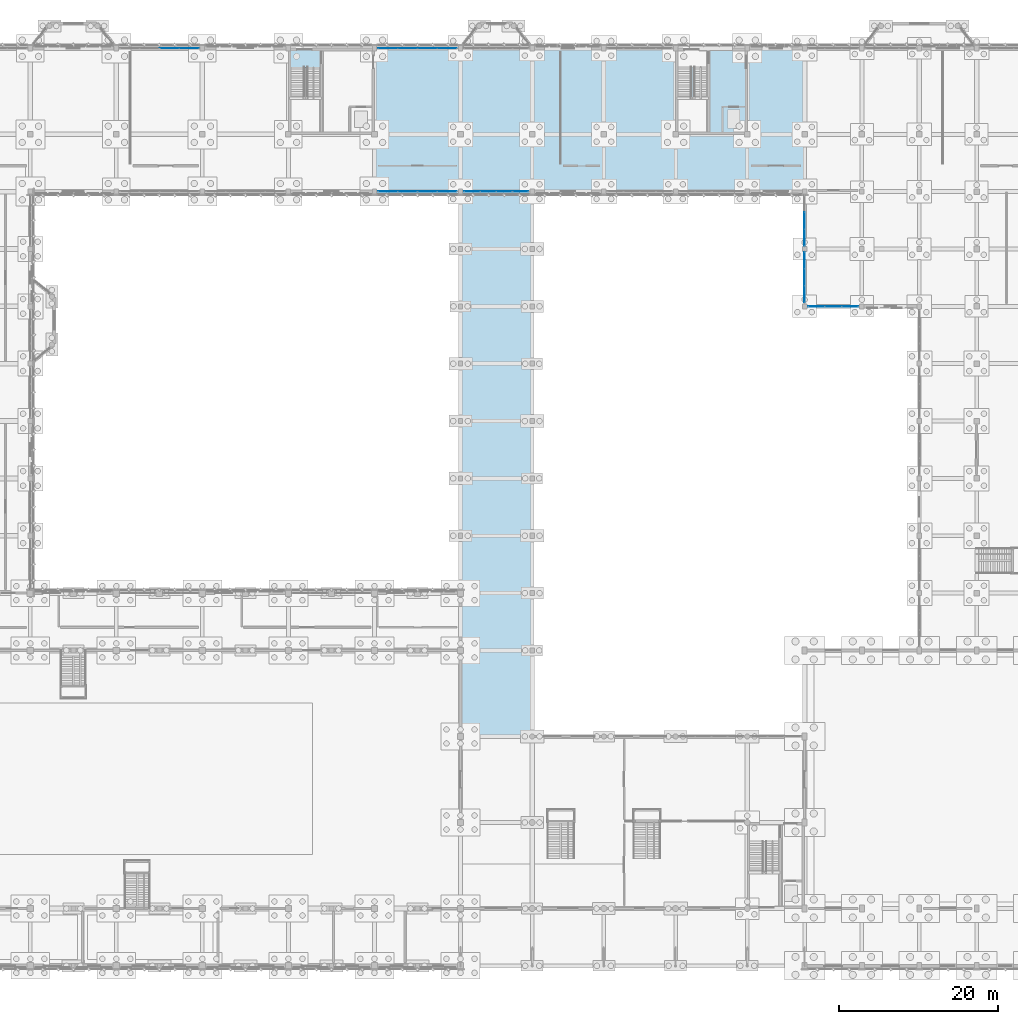
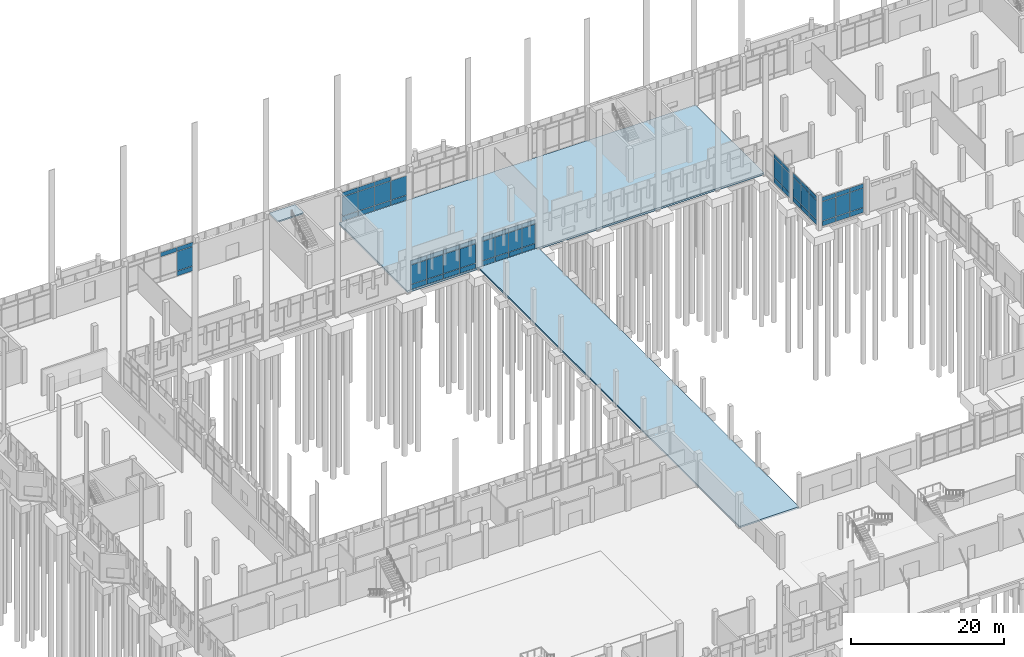
# One storey, part 76 of 109: 63 plates, 3 slabs, 8 elements without a shape of their own.
"""IFC4 building model written with IfcOpenShell, lengths in metres."""

from ifc_helpers import new_model, si_unit, direction, frame, origin, origin_2d, place, context, subcontext, project, spatial, polyline, rectangle, outline, extrude, material, layer, layer_set, type_object, element, aggregate, save


model = new_model("IFC4")

# Units and contexts
model_context = context("Model", 3, precision=1e-05, world=origin(), true_north=direction((0.0, 1.0)))
body_context = subcontext(model_context, "Body", "Model", "MODEL_VIEW")
ifc_project = project(units=[si_unit("LENGTHUNIT", "METRE"), si_unit("AREAUNIT", "SQUARE_METRE"), si_unit("VOLUMEUNIT", "CUBIC_METRE"), si_unit("PLANEANGLEUNIT", "RADIAN"), si_unit("MASSUNIT", "GRAM", prefix="KILO")], contexts=[model_context])

# Site, building, storey
site_placement = place(None, origin())
site = spatial("IfcSite", under=ifc_project, at=site_placement, CompositionType="ELEMENT")
building_placement = place(site_placement, origin())
building = spatial("IfcBuilding", under=site, at=building_placement, Name="Lusvemor Sports Hall", CompositionType="ELEMENT")
storey_placement = place(building_placement, origin())
storey = spatial("IfcBuildingStorey", under=building, at=storey_placement, Name="L00", CompositionType="ELEMENT", Elevation=0.0)

# Curtain wall, plates
ifc_material_1 = material(Name="Thermally broken bronze-anodized aluminium", Category="aluminium")
curtain_wall_type = type_object("IfcCurtainWallType", Name="CW_WING_B", PredefinedType="NOTDEFINED", material=ifc_material_1)
curtain_wall_1_placement = place(storey_placement, origin())
curtain_wall_1 = element("IfcCurtainWall", 1, at=curtain_wall_1_placement, inside=storey, type_object=curtain_wall_type, Name="Curtain Wall CW-L00-N-1-3", PredefinedType="NOTDEFINED")
ifc_material_2 = material(Name="Solar-control laminated double glazing", Category="glass")
ifc_layer_1 = layer(ifc_material_2, 0.028076171875)
ifc_layer_set_1 = layer_set([ifc_layer_1], Name="Solar-control laminated double glazing")
plate_type_1 = type_object("IfcPlateType", Name="CW_PAN_GLZ_28", PredefinedType="CURTAIN_PANEL", material=ifc_layer_set_1)
plate_1_placement = place(storey_placement, frame((39.044921875, 115.199951171875, 4.0), z_axis=(0.0, 0.0, 1.0), x_axis=(1.0, 0.0, 0.0)))
plate_1 = element("IfcPlate", 2, at=plate_1_placement, type_object=plate_type_1, Name="CW02 panel 3.3", PredefinedType="CURTAIN_PANEL", context=body_context, shape_type="SweptSolid", body=[
    extrude(rectangle(XDim=2.425048828125, YDim=0.028076171875, at=origin_2d()), origin(), (0.0, 0.0, 1.0), 0.659912109375),
])
plate_2_placement = place(storey_placement, frame((41.518798828125, 115.199951171875, 0.8798828125), z_axis=(0.0, 0.0, 1.0), x_axis=(1.0, 0.0, 0.0)))
plate_2 = element("IfcPlate", 3, at=plate_2_placement, type_object=plate_type_1, Name="CW02 panel 4.2", PredefinedType="CURTAIN_PANEL", context=body_context, shape_type="SweptSolid", body=[
    extrude(rectangle(XDim=2.392578125, YDim=0.028076171875, at=origin_2d()), origin(), (0.0, 0.0, 1.0), 3.06005859375),
])
plate_3_placement = place(storey_placement, frame((41.518798828125, 115.199951171875, 4.0), z_axis=(0.0, 0.0, 1.0), x_axis=(1.0, 0.0, 0.0)))
plate_3 = element("IfcPlate", 4, at=plate_3_placement, type_object=plate_type_1, Name="CW02 panel 4.3", PredefinedType="CURTAIN_PANEL", context=body_context, shape_type="SweptSolid", body=[
    extrude(rectangle(XDim=2.392578125, YDim=0.028076171875, at=origin_2d()), origin(), (0.0, 0.0, 1.0), 0.659912109375),
])

curtain_wall_2_placement = place(storey_placement, origin())
curtain_wall_2 = element("IfcCurtainWall", 5, at=curtain_wall_2_placement, inside=storey, type_object=curtain_wall_type, Name="Curtain Wall CW-L00-N-1-6", PredefinedType="NOTDEFINED")
plate_4_placement = place(storey_placement, frame((66.481201171875, 115.199951171875, 0.8798828125), z_axis=(0.0, 0.0, 1.0), x_axis=(1.0, 0.0, 0.0)))
plate_4 = element("IfcPlate", 6, at=plate_4_placement, type_object=plate_type_1, Name="CW02 panel 1.2", PredefinedType="CURTAIN_PANEL", context=body_context, shape_type="SweptSolid", body=[
    extrude(rectangle(XDim=2.392578125, YDim=0.028076171875, at=origin_2d()), origin(), (0.0, 0.0, 1.0), 3.06005859375),
])
plate_5_placement = place(storey_placement, frame((66.481201171875, 115.199951171875, 4.0), z_axis=(0.0, 0.0, 1.0), x_axis=(1.0, 0.0, 0.0)))
plate_5 = element("IfcPlate", 7, at=plate_5_placement, type_object=plate_type_1, Name="CW02 panel 1.3", PredefinedType="CURTAIN_PANEL", context=body_context, shape_type="SweptSolid", body=[
    extrude(rectangle(XDim=2.392578125, YDim=0.028076171875, at=origin_2d()), origin(), (0.0, 0.0, 1.0), 0.659912109375),
])
plate_6_placement = place(storey_placement, frame((68.955078125, 115.199951171875, 0.8798828125), z_axis=(0.0, 0.0, 1.0), x_axis=(1.0, 0.0, 0.0)))
plate_6 = element("IfcPlate", 8, at=plate_6_placement, type_object=plate_type_1, Name="CW02 panel 2.2", PredefinedType="CURTAIN_PANEL", context=body_context, shape_type="SweptSolid", body=[
    extrude(rectangle(XDim=2.425048828125, YDim=0.028076171875, at=origin_2d()), origin(), (0.0, 0.0, 1.0), 3.06005859375),
])
plate_7_placement = place(storey_placement, frame((68.955078125, 115.199951171875, 4.0), z_axis=(0.0, 0.0, 1.0), x_axis=(1.0, 0.0, 0.0)))
plate_7 = element("IfcPlate", 9, at=plate_7_placement, type_object=plate_type_1, Name="CW02 panel 2.3", PredefinedType="CURTAIN_PANEL", context=body_context, shape_type="SweptSolid", body=[
    extrude(rectangle(XDim=2.425048828125, YDim=0.028076171875, at=origin_2d()), origin(), (0.0, 0.0, 1.0), 0.659912109375),
])
plate_8_placement = place(storey_placement, frame((71.445068359375, 115.199951171875, 0.8798828125), z_axis=(0.0, 0.0, 1.0), x_axis=(1.0, 0.0, 0.0)))
plate_8 = element("IfcPlate", 10, at=plate_8_placement, type_object=plate_type_1, Name="CW02 panel 3.2", PredefinedType="CURTAIN_PANEL", context=body_context, shape_type="SweptSolid", body=[
    extrude(rectangle(XDim=2.425048828125, YDim=0.028076171875, at=origin_2d()), origin(), (0.0, 0.0, 1.0), 3.06005859375),
])
plate_9_placement = place(storey_placement, frame((71.445068359375, 115.199951171875, 4.0), z_axis=(0.0, 0.0, 1.0), x_axis=(1.0, 0.0, 0.0)))
plate_9 = element("IfcPlate", 11, at=plate_9_placement, type_object=plate_type_1, Name="CW02 panel 3.3", PredefinedType="CURTAIN_PANEL", context=body_context, shape_type="SweptSolid", body=[
    extrude(rectangle(XDim=2.425048828125, YDim=0.028076171875, at=origin_2d()), origin(), (0.0, 0.0, 1.0), 0.659912109375),
])
plate_10_placement = place(storey_placement, frame((73.918701171875, 115.199951171875, 0.8798828125), z_axis=(0.0, 0.0, 1.0), x_axis=(1.0, 0.0, 0.0)))
plate_10 = element("IfcPlate", 12, at=plate_10_placement, type_object=plate_type_1, Name="CW02 panel 4.2", PredefinedType="CURTAIN_PANEL", context=body_context, shape_type="SweptSolid", body=[
    extrude(rectangle(XDim=2.392578125, YDim=0.028076171875, at=origin_2d()), origin(), (0.0, 0.0, 1.0), 3.06005859375),
])

curtain_wall_3_placement = place(storey_placement, origin())
curtain_wall_3 = element("IfcCurtainWall", 13, at=curtain_wall_3_placement, inside=storey, type_object=curtain_wall_type, Name="Curtain Wall CW-L00-S-3-4", PredefinedType="NOTDEFINED")
plate_11_placement = place(storey_placement, frame((73.918701171875, 97.199951171875, 0.8798828125), z_axis=(0.0, 0.0, 1.0), x_axis=(-1.0, 0.0, 0.0)))
plate_11 = element("IfcPlate", 14, at=plate_11_placement, type_object=plate_type_1, Name="CW02 panel 1.2", PredefinedType="CURTAIN_PANEL", context=body_context, shape_type="SweptSolid", body=[
    extrude(rectangle(XDim=2.392578125, YDim=0.028076171875, at=origin_2d()), origin(), (0.0, 0.0, 1.0), 3.06005859375),
])
plate_12_placement = place(storey_placement, frame((73.918701171875, 97.199951171875, 4.0), z_axis=(0.0, 0.0, 1.0), x_axis=(-1.0, 0.0, 0.0)))
plate_12 = element("IfcPlate", 15, at=plate_12_placement, type_object=plate_type_1, Name="CW02 panel 1.3", PredefinedType="CURTAIN_PANEL", context=body_context, shape_type="SweptSolid", body=[
    extrude(rectangle(XDim=2.392578125, YDim=0.028076171875, at=origin_2d()), origin(), (0.0, 0.0, 1.0), 0.659912109375),
])
plate_13_placement = place(storey_placement, frame((71.445068359375, 97.199951171875, 0.8798828125), z_axis=(0.0, 0.0, 1.0), x_axis=(-1.0, 0.0, 0.0)))
plate_13 = element("IfcPlate", 16, at=plate_13_placement, type_object=plate_type_1, Name="CW02 panel 2.2", PredefinedType="CURTAIN_PANEL", context=body_context, shape_type="SweptSolid", body=[
    extrude(rectangle(XDim=2.425048828125, YDim=0.028076171875, at=origin_2d()), origin(), (0.0, 0.0, 1.0), 3.06005859375),
])
plate_14_placement = place(storey_placement, frame((71.445068359375, 97.199951171875, 4.0), z_axis=(0.0, 0.0, 1.0), x_axis=(-1.0, 0.0, 0.0)))
plate_14 = element("IfcPlate", 17, at=plate_14_placement, type_object=plate_type_1, Name="CW02 panel 2.3", PredefinedType="CURTAIN_PANEL", context=body_context, shape_type="SweptSolid", body=[
    extrude(rectangle(XDim=2.425048828125, YDim=0.028076171875, at=origin_2d()), origin(), (0.0, 0.0, 1.0), 0.659912109375),
])
plate_15_placement = place(storey_placement, frame((68.955078125, 97.199951171875, 0.8798828125), z_axis=(0.0, 0.0, 1.0), x_axis=(-1.0, 0.0, 0.0)))
plate_15 = element("IfcPlate", 18, at=plate_15_placement, type_object=plate_type_1, Name="CW02 panel 3.2", PredefinedType="CURTAIN_PANEL", context=body_context, shape_type="SweptSolid", body=[
    extrude(rectangle(XDim=2.425048828125, YDim=0.028076171875, at=origin_2d()), origin(), (0.0, 0.0, 1.0), 3.06005859375),
])
plate_16_placement = place(storey_placement, frame((68.955078125, 97.199951171875, 4.0), z_axis=(0.0, 0.0, 1.0), x_axis=(-1.0, 0.0, 0.0)))
plate_16 = element("IfcPlate", 19, at=plate_16_placement, type_object=plate_type_1, Name="CW02 panel 3.3", PredefinedType="CURTAIN_PANEL", context=body_context, shape_type="SweptSolid", body=[
    extrude(rectangle(XDim=2.425048828125, YDim=0.028076171875, at=origin_2d()), origin(), (0.0, 0.0, 1.0), 0.659912109375),
])
plate_17_placement = place(storey_placement, frame((66.481201171875, 97.199951171875, 0.8798828125), z_axis=(0.0, 0.0, 1.0), x_axis=(-1.0, 0.0, 0.0)))
plate_17 = element("IfcPlate", 20, at=plate_17_placement, type_object=plate_type_1, Name="CW02 panel 4.2", PredefinedType="CURTAIN_PANEL", context=body_context, shape_type="SweptSolid", body=[
    extrude(rectangle(XDim=2.392578125, YDim=0.028076171875, at=origin_2d()), origin(), (0.0, 0.0, 1.0), 3.06005859375),
])
plate_18_placement = place(storey_placement, frame((66.481201171875, 97.199951171875, 4.0), z_axis=(0.0, 0.0, 1.0), x_axis=(-1.0, 0.0, 0.0)))
plate_18 = element("IfcPlate", 21, at=plate_18_placement, type_object=plate_type_1, Name="CW02 panel 4.3", PredefinedType="CURTAIN_PANEL", context=body_context, shape_type="SweptSolid", body=[
    extrude(rectangle(XDim=2.392578125, YDim=0.028076171875, at=origin_2d()), origin(), (0.0, 0.0, 1.0), 0.659912109375),
])

curtain_wall_4_placement = place(storey_placement, origin())
curtain_wall_4 = element("IfcCurtainWall", 22, at=curtain_wall_4_placement, inside=storey, type_object=curtain_wall_type, Name="Curtain Wall CW-L00-S-3-5", PredefinedType="NOTDEFINED")
plate_19_placement = place(storey_placement, frame((83.143798828125, 97.199951171875, 0.8798828125), z_axis=(0.0, 0.0, 1.0), x_axis=(-1.0, 0.0, 0.0)))
plate_19 = element("IfcPlate", 23, at=plate_19_placement, type_object=plate_type_1, Name="CW02 panel 1.2", PredefinedType="CURTAIN_PANEL", context=body_context, shape_type="SweptSolid", body=[
    extrude(rectangle(XDim=1.9423828125, YDim=0.028076171875, at=origin_2d()), origin(), (0.0, 0.0, 1.0), 3.06005859375),
])
plate_20_placement = place(storey_placement, frame((83.143798828125, 97.199951171875, 4.0), z_axis=(0.0, 0.0, 1.0), x_axis=(-1.0, 0.0, 0.0)))
plate_20 = element("IfcPlate", 24, at=plate_20_placement, type_object=plate_type_1, Name="CW02 panel 1.3", PredefinedType="CURTAIN_PANEL", context=body_context, shape_type="SweptSolid", body=[
    extrude(rectangle(XDim=1.9423828125, YDim=0.028076171875, at=origin_2d()), origin(), (0.0, 0.0, 1.0), 0.659912109375),
])
plate_21_placement = place(storey_placement, frame((81.1201171875, 97.199951171875, 0.8798828125), z_axis=(0.0, 0.0, 1.0), x_axis=(-1.0, 0.0, 0.0)))
plate_21 = element("IfcPlate", 25, at=plate_21_placement, type_object=plate_type_1, Name="CW02 panel 2.2", PredefinedType="CURTAIN_PANEL", context=body_context, shape_type="SweptSolid", body=[
    extrude(rectangle(XDim=1.97509765625, YDim=0.028076171875, at=origin_2d()), origin(), (0.0, 0.0, 1.0), 3.06005859375),
])
plate_22_placement = place(storey_placement, frame((81.1201171875, 97.199951171875, 4.0), z_axis=(0.0, 0.0, 1.0), x_axis=(-1.0, 0.0, 0.0)))
plate_22 = element("IfcPlate", 26, at=plate_22_placement, type_object=plate_type_1, Name="CW02 panel 2.3", PredefinedType="CURTAIN_PANEL", context=body_context, shape_type="SweptSolid", body=[
    extrude(rectangle(XDim=1.97509765625, YDim=0.028076171875, at=origin_2d()), origin(), (0.0, 0.0, 1.0), 0.659912109375),
])
plate_23_placement = place(storey_placement, frame((79.080078125, 97.199951171875, 0.8798828125), z_axis=(0.0, 0.0, 1.0), x_axis=(-1.0, 0.0, 0.0)))
plate_23 = element("IfcPlate", 27, at=plate_23_placement, type_object=plate_type_1, Name="CW02 panel 3.2", PredefinedType="CURTAIN_PANEL", context=body_context, shape_type="SweptSolid", body=[
    extrude(rectangle(XDim=1.97509765625, YDim=0.028076171875, at=origin_2d()), origin(), (0.0, 0.0, 1.0), 3.06005859375),
])
plate_24_placement = place(storey_placement, frame((79.080078125, 97.199951171875, 4.0), z_axis=(0.0, 0.0, 1.0), x_axis=(-1.0, 0.0, 0.0)))
plate_24 = element("IfcPlate", 28, at=plate_24_placement, type_object=plate_type_1, Name="CW02 panel 3.3", PredefinedType="CURTAIN_PANEL", context=body_context, shape_type="SweptSolid", body=[
    extrude(rectangle(XDim=1.97509765625, YDim=0.028076171875, at=origin_2d()), origin(), (0.0, 0.0, 1.0), 0.659912109375),
])
plate_25_placement = place(storey_placement, frame((77.05615234375, 97.199951171875, 0.8798828125), z_axis=(0.0, 0.0, 1.0), x_axis=(-1.0, 0.0, 0.0)))
plate_25 = element("IfcPlate", 29, at=plate_25_placement, type_object=plate_type_1, Name="CW02 panel 4.2", PredefinedType="CURTAIN_PANEL", context=body_context, shape_type="SweptSolid", body=[
    extrude(rectangle(XDim=1.9423828125, YDim=0.028076171875, at=origin_2d()), origin(), (0.0, 0.0, 1.0), 3.06005859375),
])
plate_26_placement = place(storey_placement, frame((77.05615234375, 97.199951171875, 4.0), z_axis=(0.0, 0.0, 1.0), x_axis=(-1.0, 0.0, 0.0)))
plate_26 = element("IfcPlate", 30, at=plate_26_placement, type_object=plate_type_1, Name="CW02 panel 4.3", PredefinedType="CURTAIN_PANEL", context=body_context, shape_type="SweptSolid", body=[
    extrude(rectangle(XDim=1.9423828125, YDim=0.028076171875, at=origin_2d()), origin(), (0.0, 0.0, 1.0), 0.659912109375),
])

curtain_wall_5_placement = place(storey_placement, origin())
curtain_wall_5 = element("IfcCurtainWall", 31, at=curtain_wall_5_placement, inside=storey, type_object=curtain_wall_type, Name="Curtain Wall CW-L00-S-5-0", PredefinedType="NOTDEFINED")
plate_27_placement = place(storey_placement, frame((124.503662109375, 82.800048828125, 0.8798828125), z_axis=(0.0, 0.0, 1.0), x_axis=(-1.0, 0.0, 0.0)))
plate_27 = element("IfcPlate", 32, at=plate_27_placement, type_object=plate_type_1, Name="CW02 panel 1.2", PredefinedType="CURTAIN_PANEL", context=body_context, shape_type="SweptSolid", body=[
    extrude(rectangle(XDim=2.0224609375, YDim=0.028076171875, at=origin_2d()), origin(), (0.0, 0.0, 1.0), 3.06005859375),
])
plate_28_placement = place(storey_placement, frame((124.503662109375, 82.800048828125, 4.0), z_axis=(0.0, 0.0, 1.0), x_axis=(-1.0, 0.0, 0.0)))
plate_28 = element("IfcPlate", 33, at=plate_28_placement, type_object=plate_type_1, Name="CW02 panel 1.3", PredefinedType="CURTAIN_PANEL", context=body_context, shape_type="SweptSolid", body=[
    extrude(rectangle(XDim=2.0224609375, YDim=0.028076171875, at=origin_2d()), origin(), (0.0, 0.0, 1.0), 0.659912109375),
])
plate_29_placement = place(storey_placement, frame((122.39990234375, 82.800048828125, 0.8798828125), z_axis=(0.0, 0.0, 1.0), x_axis=(-1.0, 0.0, 0.0)))
plate_29 = element("IfcPlate", 34, at=plate_29_placement, type_object=plate_type_1, Name="CW02 panel 2.2", PredefinedType="CURTAIN_PANEL", context=body_context, shape_type="SweptSolid", body=[
    extrude(rectangle(XDim=2.054931640625, YDim=0.028076171875, at=origin_2d()), origin(), (0.0, 0.0, 1.0), 3.06005859375),
])
plate_30_placement = place(storey_placement, frame((122.39990234375, 82.800048828125, 4.0), z_axis=(0.0, 0.0, 1.0), x_axis=(-1.0, 0.0, 0.0)))
plate_30 = element("IfcPlate", 35, at=plate_30_placement, type_object=plate_type_1, Name="CW02 panel 2.3", PredefinedType="CURTAIN_PANEL", context=body_context, shape_type="SweptSolid", body=[
    extrude(rectangle(XDim=2.054931640625, YDim=0.028076171875, at=origin_2d()), origin(), (0.0, 0.0, 1.0), 0.659912109375),
])
plate_31_placement = place(storey_placement, frame((120.296142578125, 82.800048828125, 0.8798828125), z_axis=(0.0, 0.0, 1.0), x_axis=(-1.0, 0.0, 0.0)))
plate_31 = element("IfcPlate", 36, at=plate_31_placement, type_object=plate_type_1, Name="CW02 panel 3.2", PredefinedType="CURTAIN_PANEL", context=body_context, shape_type="SweptSolid", body=[
    extrude(rectangle(XDim=2.0224609375, YDim=0.028076171875, at=origin_2d()), origin(), (0.0, 0.0, 1.0), 3.06005859375),
])
plate_32_placement = place(storey_placement, frame((120.296142578125, 82.800048828125, 4.0), z_axis=(0.0, 0.0, 1.0), x_axis=(-1.0, 0.0, 0.0)))
plate_32 = element("IfcPlate", 37, at=plate_32_placement, type_object=plate_type_1, Name="CW02 panel 3.3", PredefinedType="CURTAIN_PANEL", context=body_context, shape_type="SweptSolid", body=[
    extrude(rectangle(XDim=2.0224609375, YDim=0.028076171875, at=origin_2d()), origin(), (0.0, 0.0, 1.0), 0.659912109375),
])

curtain_wall_6_placement = place(storey_placement, origin())
curtain_wall_6 = element("IfcCurtainWall", 38, at=curtain_wall_6_placement, inside=storey, type_object=curtain_wall_type, Name="Curtain Wall CW-V5NE-W-L00-A", PredefinedType="NOTDEFINED")
plate_33_placement = place(storey_placement, frame((118.800048828125, 84.324462890625, 0.8798828125), z_axis=(0.0, 0.0, 1.0), x_axis=(0.0, 1.0, 0.0)))
plate_33 = element("IfcPlate", 39, at=plate_33_placement, type_object=plate_type_1, Name="CW02 panel 1.2", PredefinedType="CURTAIN_PANEL", context=body_context, shape_type="SweptSolid", body=[
    extrude(rectangle(XDim=2.0390625, YDim=0.028076171875, at=origin_2d()), origin(), (0.0, 0.0, 1.0), 3.0400390625),
])
plate_34_placement = place(storey_placement, frame((118.800048828125, 84.324462890625, 3.97998046875), z_axis=(0.0, 0.0, 1.0), x_axis=(0.0, 1.0, 0.0)))
plate_34 = element("IfcPlate", 40, at=plate_34_placement, type_object=plate_type_1, Name="CW02 panel 1.3", PredefinedType="CURTAIN_PANEL", context=body_context, shape_type="SweptSolid", body=[
    extrude(rectangle(XDim=2.0390625, YDim=0.028076171875, at=origin_2d()), origin(), (0.0, 0.0, 1.0), 0.659912109375),
])
plate_35_placement = place(storey_placement, frame((118.800048828125, 86.445068359375, 0.8798828125), z_axis=(0.0, 0.0, 1.0), x_axis=(0.0, 1.0, 0.0)))
plate_35 = element("IfcPlate", 41, at=plate_35_placement, type_object=plate_type_1, Name="CW02 panel 2.2", PredefinedType="CURTAIN_PANEL", context=body_context, shape_type="SweptSolid", body=[
    extrude(rectangle(XDim=2.07177734375, YDim=0.028076171875, at=origin_2d()), origin(), (0.0, 0.0, 1.0), 3.0400390625),
])
plate_36_placement = place(storey_placement, frame((118.800048828125, 86.445068359375, 3.97998046875), z_axis=(0.0, 0.0, 1.0), x_axis=(0.0, 1.0, 0.0)))
plate_36 = element("IfcPlate", 42, at=plate_36_placement, type_object=plate_type_1, Name="CW02 panel 2.3", PredefinedType="CURTAIN_PANEL", context=body_context, shape_type="SweptSolid", body=[
    extrude(rectangle(XDim=2.07177734375, YDim=0.028076171875, at=origin_2d()), origin(), (0.0, 0.0, 1.0), 0.659912109375),
])
plate_37_placement = place(storey_placement, frame((118.800048828125, 88.5654296875, 0.8798828125), z_axis=(0.0, 0.0, 1.0), x_axis=(0.0, 1.0, 0.0)))
plate_37 = element("IfcPlate", 43, at=plate_37_placement, type_object=plate_type_1, Name="CW02 panel 3.2", PredefinedType="CURTAIN_PANEL", context=body_context, shape_type="SweptSolid", body=[
    extrude(rectangle(XDim=2.0390625, YDim=0.028076171875, at=origin_2d()), origin(), (0.0, 0.0, 1.0), 3.0400390625),
])
plate_38_placement = place(storey_placement, frame((118.800048828125, 88.5654296875, 3.97998046875), z_axis=(0.0, 0.0, 1.0), x_axis=(0.0, 1.0, 0.0)))
plate_38 = element("IfcPlate", 44, at=plate_38_placement, type_object=plate_type_1, Name="CW02 panel 3.3", PredefinedType="CURTAIN_PANEL", context=body_context, shape_type="SweptSolid", body=[
    extrude(rectangle(XDim=2.0390625, YDim=0.028076171875, at=origin_2d()), origin(), (0.0, 0.0, 1.0), 0.659912109375),
])

curtain_wall_7_placement = place(storey_placement, origin())
curtain_wall_7 = element("IfcCurtainWall", 45, at=curtain_wall_7_placement, inside=storey, type_object=curtain_wall_type, Name="Curtain Wall CW-V5NE-W-L00-B", PredefinedType="NOTDEFINED")
plate_39_placement = place(storey_placement, frame((118.800048828125, 91.4345703125, 0.8798828125), z_axis=(0.0, 0.0, 1.0), x_axis=(0.0, 1.0, 0.0)))
plate_39 = element("IfcPlate", 46, at=plate_39_placement, type_object=plate_type_1, Name="CW02 panel 1.2", PredefinedType="CURTAIN_PANEL", context=body_context, shape_type="SweptSolid", body=[
    extrude(rectangle(XDim=2.0390625, YDim=0.028076171875, at=origin_2d()), origin(), (0.0, 0.0, 1.0), 3.0400390625),
])
plate_40_placement = place(storey_placement, frame((118.800048828125, 91.4345703125, 3.97998046875), z_axis=(0.0, 0.0, 1.0), x_axis=(0.0, 1.0, 0.0)))
plate_40 = element("IfcPlate", 47, at=plate_40_placement, type_object=plate_type_1, Name="CW02 panel 1.3", PredefinedType="CURTAIN_PANEL", context=body_context, shape_type="SweptSolid", body=[
    extrude(rectangle(XDim=2.0390625, YDim=0.028076171875, at=origin_2d()), origin(), (0.0, 0.0, 1.0), 0.659912109375),
])
plate_41_placement = place(storey_placement, frame((118.800048828125, 93.554931640625, 0.8798828125), z_axis=(0.0, 0.0, 1.0), x_axis=(0.0, 1.0, 0.0)))
plate_41 = element("IfcPlate", 48, at=plate_41_placement, type_object=plate_type_1, Name="CW02 panel 2.2", PredefinedType="CURTAIN_PANEL", context=body_context, shape_type="SweptSolid", body=[
    extrude(rectangle(XDim=2.07177734375, YDim=0.028076171875, at=origin_2d()), origin(), (0.0, 0.0, 1.0), 3.0400390625),
])
plate_42_placement = place(storey_placement, frame((118.800048828125, 93.554931640625, 3.97998046875), z_axis=(0.0, 0.0, 1.0), x_axis=(0.0, 1.0, 0.0)))
plate_42 = element("IfcPlate", 49, at=plate_42_placement, type_object=plate_type_1, Name="CW02 panel 2.3", PredefinedType="CURTAIN_PANEL", context=body_context, shape_type="SweptSolid", body=[
    extrude(rectangle(XDim=2.07177734375, YDim=0.028076171875, at=origin_2d()), origin(), (0.0, 0.0, 1.0), 0.659912109375),
])

# Plate
ifc_material_3 = material(Name="Emerald polychrome glazed ceramic cladding on Concrete C40/50 backing", Category="concrete")
ifc_layer_2 = layer(ifc_material_3, 0.048095703125)
ifc_layer_set_2 = layer_set([ifc_layer_2], Name="Emerald polychrome glazed ceramic cladding on Concrete C40/50 backing")
plate_type_2 = type_object("IfcPlateType", Name="CW_PAN_SPN_48", PredefinedType="CURTAIN_PANEL", material=ifc_layer_set_2)
plate_43_placement = place(storey_placement, frame((41.518798828125, 115.199951171875, 0.06005859375), z_axis=(0.0, 0.0, 1.0), x_axis=(1.0, 0.0, 0.0)))
plate_43 = element("IfcPlate", 50, at=plate_43_placement, type_object=plate_type_2, Name="CW02 panel 4.1", PredefinedType="CURTAIN_PANEL", context=body_context, shape_type="SweptSolid", body=[
    extrude(rectangle(XDim=2.392578125, YDim=0.048095703125, at=origin_2d()), origin(), (0.0, 0.0, 1.0), 0.760009765625),
])

aggregate(curtain_wall_1, [plate_1, plate_43, plate_2, plate_3])

plate_44_placement = place(storey_placement, frame((66.481201171875, 115.199951171875, 0.06005859375), z_axis=(0.0, 0.0, 1.0), x_axis=(1.0, 0.0, 0.0)))
plate_44 = element("IfcPlate", 51, at=plate_44_placement, type_object=plate_type_2, Name="CW02 panel 1.1", PredefinedType="CURTAIN_PANEL", context=body_context, shape_type="SweptSolid", body=[
    extrude(rectangle(XDim=2.392578125, YDim=0.048095703125, at=origin_2d()), origin(), (0.0, 0.0, 1.0), 0.760009765625),
])

plate_45_placement = place(storey_placement, frame((68.955078125, 115.199951171875, 0.06005859375), z_axis=(0.0, 0.0, 1.0), x_axis=(1.0, 0.0, 0.0)))
plate_45 = element("IfcPlate", 52, at=plate_45_placement, type_object=plate_type_2, Name="CW02 panel 2.1", PredefinedType="CURTAIN_PANEL", context=body_context, shape_type="SweptSolid", body=[
    extrude(rectangle(XDim=2.425048828125, YDim=0.048095703125, at=origin_2d()), origin(), (0.0, 0.0, 1.0), 0.760009765625),
])

plate_46_placement = place(storey_placement, frame((71.445068359375, 115.199951171875, 0.06005859375), z_axis=(0.0, 0.0, 1.0), x_axis=(1.0, 0.0, 0.0)))
plate_46 = element("IfcPlate", 53, at=plate_46_placement, type_object=plate_type_2, Name="CW02 panel 3.1", PredefinedType="CURTAIN_PANEL", context=body_context, shape_type="SweptSolid", body=[
    extrude(rectangle(XDim=2.425048828125, YDim=0.048095703125, at=origin_2d()), origin(), (0.0, 0.0, 1.0), 0.760009765625),
])

plate_47_placement = place(storey_placement, frame((73.918701171875, 115.199951171875, 0.06005859375), z_axis=(0.0, 0.0, 1.0), x_axis=(1.0, 0.0, 0.0)))
plate_47 = element("IfcPlate", 54, at=plate_47_placement, type_object=plate_type_2, Name="CW02 panel 4.1", PredefinedType="CURTAIN_PANEL", context=body_context, shape_type="SweptSolid", body=[
    extrude(rectangle(XDim=2.392578125, YDim=0.048095703125, at=origin_2d()), origin(), (0.0, 0.0, 1.0), 0.760009765625),
])

aggregate(curtain_wall_2, [plate_44, plate_4, plate_5, plate_45, plate_6, plate_7, plate_46, plate_8, plate_9, plate_47, plate_10])

plate_48_placement = place(storey_placement, frame((73.918701171875, 97.199951171875, 0.06005859375), z_axis=(0.0, 0.0, 1.0), x_axis=(-1.0, 0.0, 0.0)))
plate_48 = element("IfcPlate", 55, at=plate_48_placement, type_object=plate_type_2, Name="CW02 panel 1.1", PredefinedType="CURTAIN_PANEL", context=body_context, shape_type="SweptSolid", body=[
    extrude(rectangle(XDim=2.392578125, YDim=0.048095703125, at=origin_2d()), origin(), (0.0, 0.0, 1.0), 0.760009765625),
])

plate_49_placement = place(storey_placement, frame((71.445068359375, 97.199951171875, 0.06005859375), z_axis=(0.0, 0.0, 1.0), x_axis=(-1.0, 0.0, 0.0)))
plate_49 = element("IfcPlate", 56, at=plate_49_placement, type_object=plate_type_2, Name="CW02 panel 2.1", PredefinedType="CURTAIN_PANEL", context=body_context, shape_type="SweptSolid", body=[
    extrude(rectangle(XDim=2.425048828125, YDim=0.048095703125, at=origin_2d()), origin(), (0.0, 0.0, 1.0), 0.760009765625),
])

plate_50_placement = place(storey_placement, frame((68.955078125, 97.199951171875, 0.06005859375), z_axis=(0.0, 0.0, 1.0), x_axis=(-1.0, 0.0, 0.0)))
plate_50 = element("IfcPlate", 57, at=plate_50_placement, type_object=plate_type_2, Name="CW02 panel 3.1", PredefinedType="CURTAIN_PANEL", context=body_context, shape_type="SweptSolid", body=[
    extrude(rectangle(XDim=2.425048828125, YDim=0.048095703125, at=origin_2d()), origin(), (0.0, 0.0, 1.0), 0.760009765625),
])

plate_51_placement = place(storey_placement, frame((66.481201171875, 97.199951171875, 0.06005859375), z_axis=(0.0, 0.0, 1.0), x_axis=(-1.0, 0.0, 0.0)))
plate_51 = element("IfcPlate", 58, at=plate_51_placement, type_object=plate_type_2, Name="CW02 panel 4.1", PredefinedType="CURTAIN_PANEL", context=body_context, shape_type="SweptSolid", body=[
    extrude(rectangle(XDim=2.392578125, YDim=0.048095703125, at=origin_2d()), origin(), (0.0, 0.0, 1.0), 0.760009765625),
])

aggregate(curtain_wall_3, [plate_48, plate_11, plate_12, plate_49, plate_13, plate_14, plate_50, plate_15, plate_16, plate_51, plate_17, plate_18])

plate_52_placement = place(storey_placement, frame((83.143798828125, 97.199951171875, 0.06005859375), z_axis=(0.0, 0.0, 1.0), x_axis=(-1.0, 0.0, 0.0)))
plate_52 = element("IfcPlate", 59, at=plate_52_placement, type_object=plate_type_2, Name="CW02 panel 1.1", PredefinedType="CURTAIN_PANEL", context=body_context, shape_type="SweptSolid", body=[
    extrude(rectangle(XDim=1.9423828125, YDim=0.048095703125, at=origin_2d()), origin(), (0.0, 0.0, 1.0), 0.760009765625),
])

plate_53_placement = place(storey_placement, frame((81.1201171875, 97.199951171875, 0.06005859375), z_axis=(0.0, 0.0, 1.0), x_axis=(-1.0, 0.0, 0.0)))
plate_53 = element("IfcPlate", 60, at=plate_53_placement, type_object=plate_type_2, Name="CW02 panel 2.1", PredefinedType="CURTAIN_PANEL", context=body_context, shape_type="SweptSolid", body=[
    extrude(rectangle(XDim=1.97509765625, YDim=0.048095703125, at=origin_2d()), origin(), (0.0, 0.0, 1.0), 0.760009765625),
])

plate_54_placement = place(storey_placement, frame((79.080078125, 97.199951171875, 0.06005859375), z_axis=(0.0, 0.0, 1.0), x_axis=(-1.0, 0.0, 0.0)))
plate_54 = element("IfcPlate", 61, at=plate_54_placement, type_object=plate_type_2, Name="CW02 panel 3.1", PredefinedType="CURTAIN_PANEL", context=body_context, shape_type="SweptSolid", body=[
    extrude(rectangle(XDim=1.97509765625, YDim=0.048095703125, at=origin_2d()), origin(), (0.0, 0.0, 1.0), 0.760009765625),
])

plate_55_placement = place(storey_placement, frame((77.05615234375, 97.199951171875, 0.06005859375), z_axis=(0.0, 0.0, 1.0), x_axis=(-1.0, 0.0, 0.0)))
plate_55 = element("IfcPlate", 62, at=plate_55_placement, type_object=plate_type_2, Name="CW02 panel 4.1", PredefinedType="CURTAIN_PANEL", context=body_context, shape_type="SweptSolid", body=[
    extrude(rectangle(XDim=1.9423828125, YDim=0.048095703125, at=origin_2d()), origin(), (0.0, 0.0, 1.0), 0.760009765625),
])

aggregate(curtain_wall_4, [plate_52, plate_19, plate_20, plate_53, plate_21, plate_22, plate_54, plate_23, plate_24, plate_55, plate_25, plate_26])

plate_56_placement = place(storey_placement, frame((124.503662109375, 82.800048828125, 0.06005859375), z_axis=(0.0, 0.0, 1.0), x_axis=(-1.0, 0.0, 0.0)))
plate_56 = element("IfcPlate", 63, at=plate_56_placement, type_object=plate_type_2, Name="CW02 panel 1.1", PredefinedType="CURTAIN_PANEL", context=body_context, shape_type="SweptSolid", body=[
    extrude(rectangle(XDim=2.0224609375, YDim=0.048095703125, at=origin_2d()), origin(), (0.0, 0.0, 1.0), 0.760009765625),
])

plate_57_placement = place(storey_placement, frame((122.39990234375, 82.800048828125, 0.06005859375), z_axis=(0.0, 0.0, 1.0), x_axis=(-1.0, 0.0, 0.0)))
plate_57 = element("IfcPlate", 64, at=plate_57_placement, type_object=plate_type_2, Name="CW02 panel 2.1", PredefinedType="CURTAIN_PANEL", context=body_context, shape_type="SweptSolid", body=[
    extrude(rectangle(XDim=2.054931640625, YDim=0.048095703125, at=origin_2d()), origin(), (0.0, 0.0, 1.0), 0.760009765625),
])

plate_58_placement = place(storey_placement, frame((120.296142578125, 82.800048828125, 0.06005859375), z_axis=(0.0, 0.0, 1.0), x_axis=(-1.0, 0.0, 0.0)))
plate_58 = element("IfcPlate", 65, at=plate_58_placement, type_object=plate_type_2, Name="CW02 panel 3.1", PredefinedType="CURTAIN_PANEL", context=body_context, shape_type="SweptSolid", body=[
    extrude(rectangle(XDim=2.0224609375, YDim=0.048095703125, at=origin_2d()), origin(), (0.0, 0.0, 1.0), 0.760009765625),
])

aggregate(curtain_wall_5, [plate_56, plate_27, plate_28, plate_57, plate_29, plate_30, plate_58, plate_31, plate_32])

plate_59_placement = place(storey_placement, frame((118.800048828125, 84.324462890625, 0.06005859375), z_axis=(0.0, 0.0, 1.0), x_axis=(0.0, 1.0, 0.0)))
plate_59 = element("IfcPlate", 66, at=plate_59_placement, type_object=plate_type_2, Name="CW02 panel 1.1", PredefinedType="CURTAIN_PANEL", context=body_context, shape_type="SweptSolid", body=[
    extrude(rectangle(XDim=2.0390625, YDim=0.048095703125, at=origin_2d()), origin(), (0.0, 0.0, 1.0), 0.760009765625),
])

plate_60_placement = place(storey_placement, frame((118.800048828125, 86.445068359375, 0.06005859375), z_axis=(0.0, 0.0, 1.0), x_axis=(0.0, 1.0, 0.0)))
plate_60 = element("IfcPlate", 67, at=plate_60_placement, type_object=plate_type_2, Name="CW02 panel 2.1", PredefinedType="CURTAIN_PANEL", context=body_context, shape_type="SweptSolid", body=[
    extrude(rectangle(XDim=2.07177734375, YDim=0.048095703125, at=origin_2d()), origin(), (0.0, 0.0, 1.0), 0.760009765625),
])

plate_61_placement = place(storey_placement, frame((118.800048828125, 88.5654296875, 0.06005859375), z_axis=(0.0, 0.0, 1.0), x_axis=(0.0, 1.0, 0.0)))
plate_61 = element("IfcPlate", 68, at=plate_61_placement, type_object=plate_type_2, Name="CW02 panel 3.1", PredefinedType="CURTAIN_PANEL", context=body_context, shape_type="SweptSolid", body=[
    extrude(rectangle(XDim=2.0390625, YDim=0.048095703125, at=origin_2d()), origin(), (0.0, 0.0, 1.0), 0.760009765625),
])

aggregate(curtain_wall_6, [plate_59, plate_33, plate_34, plate_60, plate_35, plate_36, plate_61, plate_37, plate_38])

plate_62_placement = place(storey_placement, frame((118.800048828125, 91.4345703125, 0.06005859375), z_axis=(0.0, 0.0, 1.0), x_axis=(0.0, 1.0, 0.0)))
plate_62 = element("IfcPlate", 69, at=plate_62_placement, type_object=plate_type_2, Name="CW02 panel 1.1", PredefinedType="CURTAIN_PANEL", context=body_context, shape_type="SweptSolid", body=[
    extrude(rectangle(XDim=2.0390625, YDim=0.048095703125, at=origin_2d()), origin(), (0.0, 0.0, 1.0), 0.760009765625),
])

plate_63_placement = place(storey_placement, frame((118.800048828125, 93.554931640625, 0.06005859375), z_axis=(0.0, 0.0, 1.0), x_axis=(0.0, 1.0, 0.0)))
plate_63 = element("IfcPlate", 70, at=plate_63_placement, type_object=plate_type_2, Name="CW02 panel 2.1", PredefinedType="CURTAIN_PANEL", context=body_context, shape_type="SweptSolid", body=[
    extrude(rectangle(XDim=2.07177734375, YDim=0.048095703125, at=origin_2d()), origin(), (0.0, 0.0, 1.0), 0.760009765625),
])

aggregate(curtain_wall_7, [plate_62, plate_39, plate_40, plate_63, plate_41, plate_42])

# Slabs
ifc_material_4 = material(Name="Concrete C40/50", Category="concrete")
ifc_layer_3 = layer(ifc_material_4, 0.300048828125)
ifc_layer_set_3 = layer_set([ifc_layer_3], Name="Concrete C40/50")
slab_type_1 = type_object("IfcSlabType", Name="SLAB_BASE_300", PredefinedType="BASESLAB", material=ifc_layer_set_3)
slab_1_placement = place(storey_placement, frame((0.0, 0.0, -0.300048828125)))
element("IfcSlab", 71, at=slab_1_placement, inside=storey, type_object=slab_type_1, Name="Slab L00 V5-CN", PredefinedType="BASESLAB", context=body_context, shape_type="SweptSolid", body=[
    extrude(outline(polyline([(64.800048828125, 97.199951171875), (118.800048828125, 97.199951171875), (118.800048828125, 115.199951171875), (64.800048828125, 115.199951171875), (64.800048828125, 97.199951171875)])), origin(), (0.0, 0.0, 1.0), 0.300048828125),
])
ifc_material_5 = material(Name="Concrete C40/50", Category="concrete")
ifc_layer_4 = layer(ifc_material_5, 0.25)
ifc_layer_set_4 = layer_set([ifc_layer_4], Name="Concrete C40/50")
slab_type_2 = type_object("IfcSlabType", Name="SLAB_BASE_EXT_250", PredefinedType="BASESLAB", material=ifc_layer_set_4)
slab_2_placement = place(storey_placement, frame((0.0, 0.0, -0.25)))
element("IfcSlab", 72, at=slab_2_placement, inside=storey, type_object=slab_type_2, Name="Slab L00 V6-PASSAGE", PredefinedType="BASESLAB", context=body_context, shape_type="SweptSolid", body=[
    extrude(outline(polyline([(75.60009765625, 28.800048828125), (84.60009765625, 28.800048828125), (84.60009765625, 97.199951171875), (75.60009765625, 97.199951171875), (75.60009765625, 28.800048828125)])), origin(), (0.0, 0.0, 1.0), 0.25),
])

# Stair, slab
ifc_material_6 = material(Name="Concrete C40/50", Category="concrete")
stair_type = type_object("IfcStairType", Name="STAIR_CORE_540", PredefinedType="HALF_TURN_STAIR", material=ifc_material_6)
stair_placement = place(storey_placement, origin())
stair = element("IfcStair", 73, at=stair_placement, inside=storey, type_object=stair_type, Name="Escape Stair C2 (L00)", PredefinedType="HALF_TURN_STAIR")
ifc_material_7 = material(Name="Concrete C40/50", Category="concrete")
ifc_layer_5 = layer(ifc_material_7, 0.199951171875)
ifc_layer_set_5 = layer_set([ifc_layer_5], Name="Concrete C40/50")
slab_type_3 = type_object("IfcSlabType", Name="SLAB_LAND_200", PredefinedType="LANDING", material=ifc_layer_set_5)
slab_3_placement = place(storey_placement, frame((0.0, 0.0, 5.199951171875)))
slab_3 = element("IfcSlab", 74, at=slab_3_placement, type_object=slab_type_3, Name="ST01 landing 2", PredefinedType="LANDING", context=body_context, shape_type="SweptSolid", body=[
    extrude(outline(polyline([(54.179931640625, 112.81005859375), (58.1201171875, 112.81005859375), (58.1201171875, 115.02001953125), (54.179931640625, 115.02001953125), (54.179931640625, 112.81005859375)])), origin(), (0.0, 0.0, 1.0), 0.199951171875),
])
aggregate(stair, [slab_3])

save(model, "model.ifc")
